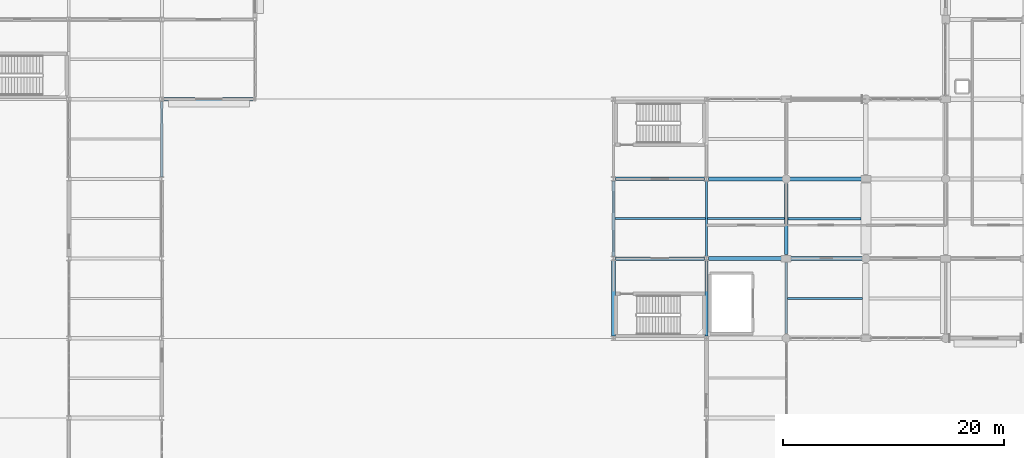
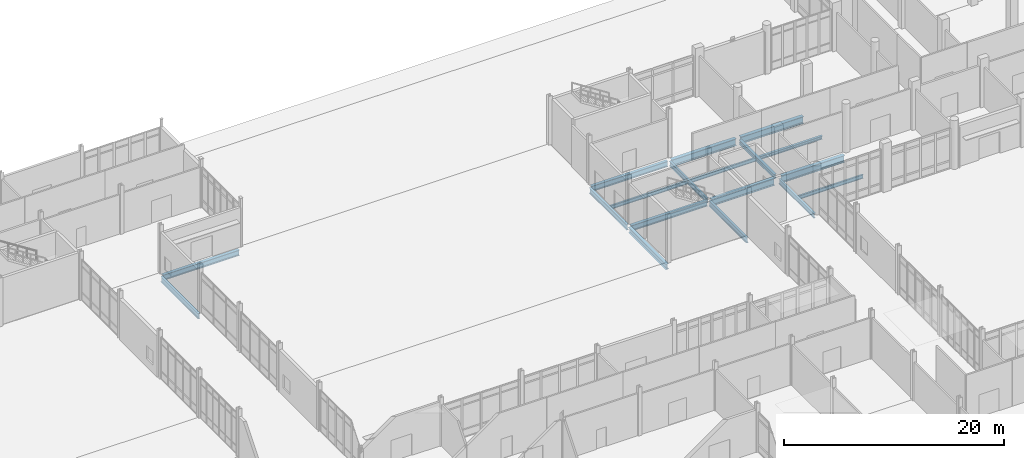
# One storey, part 109 of 229: 18 beams.
"""IFC4 building model written with IfcOpenShell, lengths in metres."""

from ifc_helpers import new_model, si_unit, direction, frame, origin, origin_2d, place, context, subcontext, project, spatial, i_section, extrude, material, material_profile, profile_set, type_object, element, save


model = new_model("IFC4")

# Units and contexts
model_context = context("Model", 3, precision=1e-05, world=origin(), true_north=direction((0.0, 1.0)))
body_context = subcontext(model_context, "Body", "Model", "MODEL_VIEW")
ifc_project = project(units=[si_unit("LENGTHUNIT", "METRE"), si_unit("AREAUNIT", "SQUARE_METRE"), si_unit("VOLUMEUNIT", "CUBIC_METRE"), si_unit("PLANEANGLEUNIT", "RADIAN"), si_unit("MASSUNIT", "GRAM", prefix="KILO")], contexts=[model_context])

# Site, building, storey
site_placement = place(None, origin())
site = spatial("IfcSite", under=ifc_project, at=site_placement, CompositionType="ELEMENT")
building_placement = place(site_placement, origin())
building = spatial("IfcBuilding", under=site, at=building_placement, Name="Calvrana Isthmian Art Gallery", CompositionType="ELEMENT")
storey_placement = place(building_placement, origin())
storey = spatial("IfcBuildingStorey", under=building, at=storey_placement, Name="L00", CompositionType="ELEMENT", Elevation=0.0)

# Beams
ifc_material = material(Name="Steel ASTM A992 Gr 50", Category="steel")
ifc_material_profile_1 = material_profile(ifc_material, i_section(OverallWidth=0.279052734375, OverallDepth=0.4619140625, WebThickness=0.0107421875, FlangeThickness=0.017333984375, FilletRadius=0.02001953125, at=origin_2d()), Name="W18X76")
ifc_profile_set_1 = profile_set([ifc_material_profile_1], Name="Steel ASTM A992 Gr 50")
beam_type_1 = type_object("IfcBeamType", Name="BM-G-W18X76", PredefinedType="BEAM", material=ifc_profile_set_1)
beam_1_placement = place(storey_placement, frame((120.0, 84.375, -0.5859375), z_axis=(0.0, 1.0, 0.0), x_axis=(-1.0, 0.0, 0.0)))
element("IfcBeam", 1, at=beam_1_placement, inside=storey, type_object=beam_type_1, Name="Girder Y L00 16/L-M", PredefinedType="BEAM", context=body_context, shape_type="SweptSolid", body=[
    extrude(i_section(OverallWidth=0.279052734375, OverallDepth=0.4619140625, WebThickness=0.0107421875, FlangeThickness=0.017333984375, FilletRadius=0.02001953125, at=origin_2d()), origin(), (0.0, 0.0, 1.0), 6.39990234375),
])
ifc_material_profile_2 = material_profile(ifc_material, i_section(OverallWidth=0.208984375, OverallDepth=0.532958984375, WebThickness=0.01025390625, FlangeThickness=0.015625, FilletRadius=0.02099609375, at=origin_2d()), Name="W21X62")
ifc_profile_set_2 = profile_set([ifc_material_profile_2], Name="Steel ASTM A992 Gr 50")
beam_type_2 = type_object("IfcBeamType", Name="BM-G-W21X62", PredefinedType="BEAM", material=ifc_profile_set_2)
beam_2_placement = place(storey_placement, frame((112.800048828125, 84.18798828125, -0.62158203125), z_axis=(0.0, 1.0, 0.0), x_axis=(-1.0, 0.0, 0.0)))
element("IfcBeam", 2, at=beam_2_placement, inside=storey, type_object=beam_type_2, Name="Girder Y L00 15/L-M", PredefinedType="BEAM", context=body_context, shape_type="SweptSolid", body=[
    extrude(i_section(OverallWidth=0.208984375, OverallDepth=0.532958984375, WebThickness=0.01025390625, FlangeThickness=0.015625, FilletRadius=0.02099609375, at=origin_2d()), origin(), (0.0, 0.0, 1.0), 6.821533203125),
])
beam_3_placement = place(storey_placement, frame((120.0, 77.22509765625, -0.62158203125), z_axis=(0.0, 1.0, 0.0), x_axis=(-1.0, 0.0, 0.0)))
element("IfcBeam", 3, at=beam_3_placement, inside=storey, type_object=beam_type_2, Name="Girder Y L00 16/K-L", PredefinedType="BEAM", context=body_context, shape_type="SweptSolid", body=[
    extrude(i_section(OverallWidth=0.208984375, OverallDepth=0.532958984375, WebThickness=0.01025390625, FlangeThickness=0.015625, FilletRadius=0.02099609375, at=origin_2d()), origin(), (0.0, 0.0, 1.0), 6.39990234375),
])
ifc_material_profile_3 = material_profile(ifc_material, i_section(OverallWidth=0.324951171875, OverallDepth=0.612060546875, WebThickness=0.0126953125, FlangeThickness=0.01904296875, FilletRadius=0.02197265625, at=origin_2d()), Name="W24X104")
ifc_profile_set_3 = profile_set([ifc_material_profile_3], Name="Steel ASTM A992 Gr 50")
beam_type_3 = type_object("IfcBeamType", Name="BM-G-W24X104", PredefinedType="BEAM", material=ifc_profile_set_3)
beam_4_placement = place(storey_placement, frame((104.599609375, 91.199951171875, -0.660888671875), z_axis=(1.0, 0.0, 0.0), x_axis=(0.0, 1.0, 0.0)))
element("IfcBeam", 4, at=beam_4_placement, inside=storey, type_object=beam_type_3, Name="Girder X L00 14-15/M", PredefinedType="BEAM", context=body_context, shape_type="SweptSolid", body=[
    extrude(i_section(OverallWidth=0.324951171875, OverallDepth=0.612060546875, WebThickness=0.0126953125, FlangeThickness=0.01904296875, FilletRadius=0.02197265625, at=origin_2d()), origin(), (0.0, 0.0, 1.0), 8.00244140625),
])
beam_5_placement = place(storey_placement, frame((63.797119140625, 98.39990234375, -0.591064453125), z_axis=(1.0, 0.0, 0.0), x_axis=(0.0, 1.0, 0.0)))
element("IfcBeam", 5, at=beam_5_placement, inside=storey, type_object=beam_type_3, Name="Girder X L00 09-10/N", PredefinedType="BEAM", context=body_context, shape_type="SweptSolid", body=[
    extrude(i_section(OverallWidth=0.324951171875, OverallDepth=0.612060546875, WebThickness=0.0126953125, FlangeThickness=0.01904296875, FilletRadius=0.02197265625, at=origin_2d()), origin(), (0.0, 0.0, 1.0), 8.018798828125),
])
beam_6_placement = place(storey_placement, frame((104.39990234375, 76.988037109375, -0.660888671875), z_axis=(0.0, 1.0, 0.0), x_axis=(-1.0, 0.0, 0.0)))
element("IfcBeam", 6, at=beam_6_placement, inside=storey, type_object=beam_type_3, Name="Girder Y L00 14/K-L", PredefinedType="BEAM", context=body_context, shape_type="SweptSolid", body=[
    extrude(i_section(OverallWidth=0.324951171875, OverallDepth=0.612060546875, WebThickness=0.0126953125, FlangeThickness=0.01904296875, FilletRadius=0.02197265625, at=origin_2d()), origin(), (0.0, 0.0, 1.0), 6.821533203125),
])
ifc_material_profile_4 = material_profile(ifc_material, i_section(OverallWidth=0.327880859375, OverallDepth=0.6220703125, WebThickness=0.015380859375, FlangeThickness=0.0244140625, FilletRadius=0.02197265625, at=origin_2d()), Name="W24X131")
ifc_profile_set_4 = profile_set([ifc_material_profile_4], Name="Steel ASTM A992 Gr 50")
beam_type_4 = type_object("IfcBeamType", Name="BM-G-W24X131", PredefinedType="BEAM", material=ifc_profile_set_4)
beam_7_placement = place(storey_placement, frame((104.597900390625, 84.0, -0.666015625), z_axis=(1.0, 0.0, 0.0), x_axis=(0.0, 1.0, 0.0)))
element("IfcBeam", 7, at=beam_7_placement, inside=storey, type_object=beam_type_4, Name="Girder X L00 14-15/L", PredefinedType="BEAM", context=body_context, shape_type="SweptSolid", body=[
    extrude(i_section(OverallWidth=0.327880859375, OverallDepth=0.6220703125, WebThickness=0.015380859375, FlangeThickness=0.0244140625, FilletRadius=0.02197265625, at=origin_2d()), origin(), (0.0, 0.0, 1.0), 8.005126953125),
])
ifc_material_profile_5 = material_profile(ifc_material, i_section(OverallWidth=0.22802734375, OverallDepth=0.60693359375, WebThickness=0.01123046875, FlangeThickness=0.017333984375, FilletRadius=0.02197265625, at=origin_2d()), Name="W24X76")
ifc_profile_set_5 = profile_set([ifc_material_profile_5], Name="Steel ASTM A992 Gr 50")
beam_type_5 = type_object("IfcBeamType", Name="BM-G-W24X76", PredefinedType="BEAM", material=ifc_profile_set_5)
beam_8_placement = place(storey_placement, frame((63.60009765625, 91.386474609375, -0.58837890625), z_axis=(0.0, 1.0, 0.0), x_axis=(-1.0, 0.0, 0.0)))
element("IfcBeam", 8, at=beam_8_placement, inside=storey, type_object=beam_type_5, Name="Girder Y L00 09/M-N", PredefinedType="BEAM", context=body_context, shape_type="SweptSolid", body=[
    extrude(i_section(OverallWidth=0.22802734375, OverallDepth=0.60693359375, WebThickness=0.01123046875, FlangeThickness=0.017333984375, FilletRadius=0.02197265625, at=origin_2d()), origin(), (0.0, 0.0, 1.0), 6.825439453125),
])
beam_9_placement = place(storey_placement, frame((104.39990234375, 84.1904296875, -0.658447265625), z_axis=(0.0, 1.0, 0.0), x_axis=(-1.0, 0.0, 0.0)))
element("IfcBeam", 9, at=beam_9_placement, inside=storey, type_object=beam_type_5, Name="Girder Y L00 14/L-M", PredefinedType="BEAM", context=body_context, shape_type="SweptSolid", body=[
    extrude(i_section(OverallWidth=0.22802734375, OverallDepth=0.60693359375, WebThickness=0.01123046875, FlangeThickness=0.017333984375, FilletRadius=0.02197265625, at=origin_2d()), origin(), (0.0, 0.0, 1.0), 6.816650390625),
])
beam_10_placement = place(storey_placement, frame((112.800048828125, 76.986572265625, -0.658447265625), z_axis=(0.0, 1.0, 0.0), x_axis=(-1.0, 0.0, 0.0)))
element("IfcBeam", 10, at=beam_10_placement, inside=storey, type_object=beam_type_5, Name="Girder Y L00 15/K-L", PredefinedType="BEAM", context=body_context, shape_type="SweptSolid", body=[
    extrude(i_section(OverallWidth=0.22802734375, OverallDepth=0.60693359375, WebThickness=0.01123046875, FlangeThickness=0.017333984375, FilletRadius=0.02197265625, at=origin_2d()), origin(), (0.0, 0.0, 1.0), 6.825439453125),
])
ifc_material_profile_6 = material_profile(ifc_material, i_section(OverallWidth=0.381103515625, OverallDepth=0.77197265625, WebThickness=0.0166015625, FlangeThickness=0.027099609375, FilletRadius=0.02490234375, at=origin_2d()), Name="W30X173")
ifc_profile_set_6 = profile_set([ifc_material_profile_6], Name="Steel ASTM A992 Gr 50")
beam_type_6 = type_object("IfcBeamType", Name="BM-G-W30X173", PredefinedType="BEAM", material=ifc_profile_set_6)
beam_11_placement = place(storey_placement, frame((112.9970703125, 84.0, -0.740966796875), z_axis=(1.0, 0.0, 0.0), x_axis=(0.0, 1.0, 0.0)))
element("IfcBeam", 11, at=beam_11_placement, inside=storey, type_object=beam_type_6, Name="Girder X L00 15-16/L", PredefinedType="BEAM", context=body_context, shape_type="SweptSolid", body=[
    extrude(i_section(OverallWidth=0.381103515625, OverallDepth=0.77197265625, WebThickness=0.0166015625, FlangeThickness=0.027099609375, FilletRadius=0.02490234375, at=origin_2d()), origin(), (0.0, 0.0, 1.0), 6.6279296875),
])
beam_12_placement = place(storey_placement, frame((120.375, 84.0, -0.740966796875), z_axis=(1.0, 0.0, 0.0), x_axis=(0.0, 1.0, 0.0)))
element("IfcBeam", 12, at=beam_12_placement, inside=storey, type_object=beam_type_6, Name="Girder X L00 16-17/L", PredefinedType="BEAM", context=body_context, shape_type="SweptSolid", body=[
    extrude(i_section(OverallWidth=0.381103515625, OverallDepth=0.77197265625, WebThickness=0.0166015625, FlangeThickness=0.027099609375, FilletRadius=0.02490234375, at=origin_2d()), origin(), (0.0, 0.0, 1.0), 6.60009765625),
])
beam_13_placement = place(storey_placement, frame((112.998046875, 91.199951171875, -0.740966796875), z_axis=(1.0, 0.0, 0.0), x_axis=(0.0, 1.0, 0.0)))
element("IfcBeam", 13, at=beam_13_placement, inside=storey, type_object=beam_type_6, Name="Girder X L00 15-16/M", PredefinedType="BEAM", context=body_context, shape_type="SweptSolid", body=[
    extrude(i_section(OverallWidth=0.381103515625, OverallDepth=0.77197265625, WebThickness=0.0166015625, FlangeThickness=0.027099609375, FilletRadius=0.02490234375, at=origin_2d()), origin(), (0.0, 0.0, 1.0), 6.77685546875),
])
beam_14_placement = place(storey_placement, frame((120.22509765625, 91.199951171875, -0.740966796875), z_axis=(1.0, 0.0, 0.0), x_axis=(0.0, 1.0, 0.0)))
element("IfcBeam", 14, at=beam_14_placement, inside=storey, type_object=beam_type_6, Name="Girder X L00 16-17/M", PredefinedType="BEAM", context=body_context, shape_type="SweptSolid", body=[
    extrude(i_section(OverallWidth=0.381103515625, OverallDepth=0.77197265625, WebThickness=0.0166015625, FlangeThickness=0.027099609375, FilletRadius=0.02490234375, at=origin_2d()), origin(), (0.0, 0.0, 1.0), 6.599853515625),
])
ifc_material_profile_7 = material_profile(ifc_material, i_section(OverallWidth=0.25390625, OverallDepth=0.35302734375, WebThickness=0.009521484375, FlangeThickness=0.016357421875, FilletRadius=0.01806640625, at=origin_2d()), Name="W14X61")
ifc_profile_set_7 = profile_set([ifc_material_profile_7], Name="Steel ASTM A992 Gr 50")
beam_type_7 = type_object("IfcBeamType", Name="BM-J-W14X61", PredefinedType="JOIST", material=ifc_profile_set_7)
beam_15_placement = place(storey_placement, frame((120.139404296875, 87.60009765625, -0.531494140625), z_axis=(1.0, 0.0, 0.0), x_axis=(0.0, 1.0, 0.0)))
element("IfcBeam", 15, at=beam_15_placement, inside=storey, type_object=beam_type_7, Name="Composite joist L00 bay 15-11", PredefinedType="JOIST", context=body_context, shape_type="SweptSolid", body=[
    extrude(i_section(OverallWidth=0.25390625, OverallDepth=0.35302734375, WebThickness=0.009521484375, FlangeThickness=0.016357421875, FilletRadius=0.01806640625, at=origin_2d()), origin(), (0.0, 0.0, 1.0), 6.610595703125),
])
ifc_material_profile_8 = material_profile(ifc_material, i_section(OverallWidth=0.177978515625, OverallDepth=0.404052734375, WebThickness=0.007568359375, FlangeThickness=0.010986328125, FilletRadius=0.01806640625, at=origin_2d()), Name="W16X36")
ifc_profile_set_8 = profile_set([ifc_material_profile_8], Name="Steel ASTM A992 Gr 50")
beam_type_8 = type_object("IfcBeamType", Name="BM-J-W16X36", PredefinedType="JOIST", material=ifc_profile_set_8)
beam_16_placement = place(storey_placement, frame((112.904541015625, 87.60009765625, -0.556884765625), z_axis=(1.0, 0.0, 0.0), x_axis=(0.0, 1.0, 0.0)))
element("IfcBeam", 16, at=beam_16_placement, inside=storey, type_object=beam_type_8, Name="Composite joist L00 bay 14-11", PredefinedType="JOIST", context=body_context, shape_type="SweptSolid", body=[
    extrude(i_section(OverallWidth=0.177978515625, OverallDepth=0.404052734375, WebThickness=0.007568359375, FlangeThickness=0.010986328125, FilletRadius=0.01806640625, at=origin_2d()), origin(), (0.0, 0.0, 1.0), 6.9560546875),
])
beam_17_placement = place(storey_placement, frame((120.1044921875, 80.39990234375, -0.556884765625), z_axis=(1.0, 0.0, 0.0), x_axis=(0.0, 1.0, 0.0)))
element("IfcBeam", 17, at=beam_17_placement, inside=storey, type_object=beam_type_8, Name="Composite joist L00 bay 15-10", PredefinedType="JOIST", context=body_context, shape_type="SweptSolid", body=[
    extrude(i_section(OverallWidth=0.177978515625, OverallDepth=0.404052734375, WebThickness=0.007568359375, FlangeThickness=0.010986328125, FilletRadius=0.01806640625, at=origin_2d()), origin(), (0.0, 0.0, 1.0), 6.79541015625),
])
ifc_material_profile_9 = material_profile(ifc_material, i_section(OverallWidth=0.179931640625, OverallDepth=0.4140625, WebThickness=0.009765625, FlangeThickness=0.01611328125, FilletRadius=0.01806640625, at=origin_2d()), Name="W16X50")
ifc_profile_set_9 = profile_set([ifc_material_profile_9], Name="Steel ASTM A992 Gr 50")
beam_type_9 = type_object("IfcBeamType", Name="BM-J-W16X50", PredefinedType="JOIST", material=ifc_profile_set_9)
beam_18_placement = place(storey_placement, frame((104.513916015625, 87.60009765625, -0.56201171875), z_axis=(1.0, 0.0, 0.0), x_axis=(0.0, 1.0, 0.0)))
element("IfcBeam", 18, at=beam_18_placement, inside=storey, type_object=beam_type_9, Name="Composite joist L00 bay 13-11", PredefinedType="JOIST", context=body_context, shape_type="SweptSolid", body=[
    extrude(i_section(OverallWidth=0.179931640625, OverallDepth=0.4140625, WebThickness=0.009765625, FlangeThickness=0.01611328125, FilletRadius=0.01806640625, at=origin_2d()), origin(), (0.0, 0.0, 1.0), 8.181640625),
])

save(model, "model.ifc")
